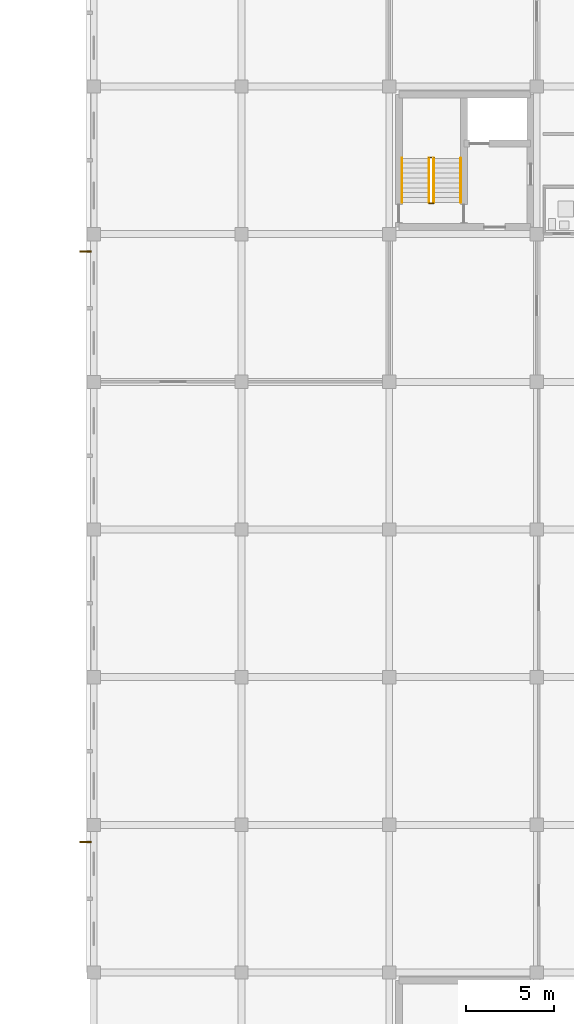
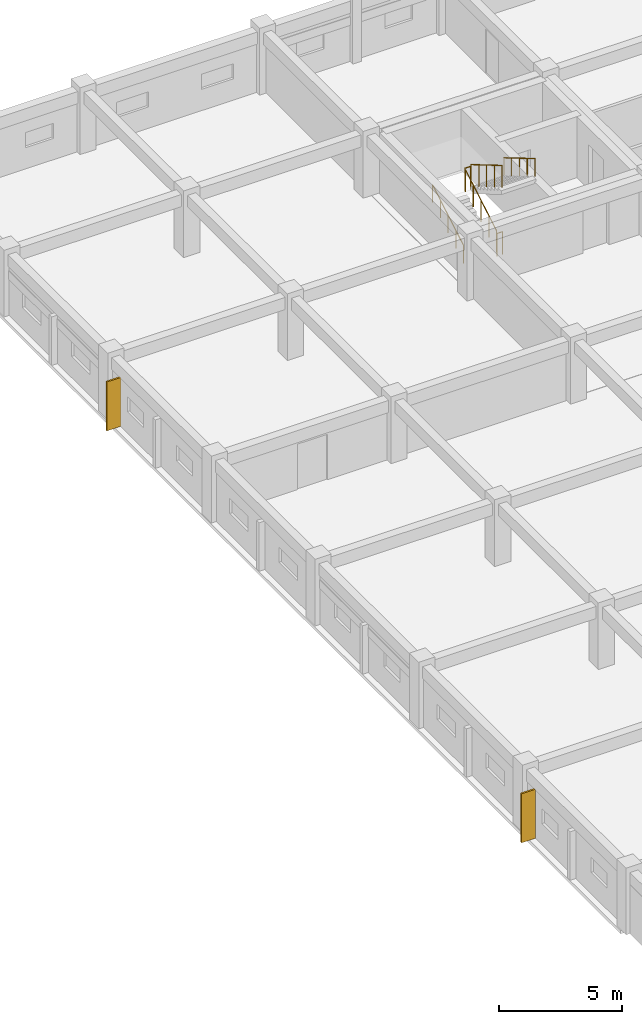
# One storey, part 195 of 200: 6 railings, 2 shading devices.
"""IFC4 building model written with IfcOpenShell, lengths in metres."""

from ifc_helpers import new_model, si_unit, direction, frame, origin, origin_2d, place, context, subcontext, project, spatial, rectangle, circle, extrude, material, type_object, element, save


model = new_model("IFC4")

# Units and contexts
model_context = context("Model", 3, precision=1e-05, world=origin(), true_north=direction((0.0, 1.0)))
body_context = subcontext(model_context, "Body", "Model", "MODEL_VIEW")
ifc_project = project(units=[si_unit("LENGTHUNIT", "METRE"), si_unit("AREAUNIT", "SQUARE_METRE"), si_unit("VOLUMEUNIT", "CUBIC_METRE"), si_unit("PLANEANGLEUNIT", "RADIAN"), si_unit("MASSUNIT", "GRAM", prefix="KILO")], contexts=[model_context])

# Site, building, storey
site_placement = place(None, origin())
site = spatial("IfcSite", under=ifc_project, at=site_placement, CompositionType="ELEMENT")
building_placement = place(site_placement, origin())
building = spatial("IfcBuilding", under=site, at=building_placement, Name="Trelvath General Hospital", CompositionType="ELEMENT")
storey_placement = place(building_placement, frame((0.0, 0.0, 4.800048828125)))
storey = spatial("IfcBuildingStorey", under=building, at=storey_placement, Name="L01", CompositionType="ELEMENT", Elevation=4.800048828125)

# Railings
ifc_material_1 = material(Name="Architectural painted steel", Category="steel")
railing_type_1 = type_object("IfcRailingType", Name="Guardrail Terrace1150", PredefinedType="GUARDRAIL", material=ifc_material_1)
railing_1_placement = place(storey_placement, frame((19.070068359375, 102.56005859375, 0.0)))
element("IfcRailing", 1, at=railing_1_placement, inside=storey, type_object=railing_type_1, Name="Stair Well Edge Guard C3 L01 102", PredefinedType="GUARDRAIL", context=body_context, shape_type="SweptSolid", body=[
    extrude(circle(Radius=0.02392578125, at=origin_2d()), frame((0.0, 0.0, 1.1259765625), z_axis=(1.0, 0.0, 0.0), x_axis=(0.0, 1.0, 0.0)), (0.0, 0.0, 1.0), 0.260009765625),
    extrude(circle(Radius=0.02099609375, at=origin_2d()), origin(), (0.0, 0.0, 1.0), 1.099853515625),
    extrude(circle(Radius=0.02099609375, at=origin_2d()), frame((0.260009765625, 0.0, 0.0)), (0.0, 0.0, 1.0), 1.099853515625),
])
railing_2_placement = place(storey_placement, frame((19.330078125, 105.1201171875, 1.81494140625)))
element("IfcRailing", 2, at=railing_2_placement, inside=storey, type_object=railing_type_1, Name="Stair Rail ST3 L01 F2 L 104", PredefinedType="GUARDRAIL", context=body_context, shape_type="SweptSolid", body=[
    extrude(circle(Radius=0.02392578125, at=origin_2d()), frame((0.0, 0.0, 1.076171875), z_axis=(0.0, -0.86152411907, 0.507716645641), x_axis=(1.0, 0.0, 0.0)), (0.0, 0.0, 1.0), 2.925048828125),
    extrude(circle(Radius=0.02099609375, at=origin_2d()), origin(), (0.0, 0.0, 1.0), 1.050048828125),
    extrude(circle(Radius=0.02099609375, at=origin_2d()), frame((0.0, -0.6298828125, 0.371337890625)), (0.0, 0.0, 1.0), 1.050048828125),
    extrude(circle(Radius=0.02099609375, at=origin_2d()), frame((0.0, -1.260009765625, 0.74267578125)), (0.0, 0.0, 1.0), 1.050048828125),
    extrude(circle(Radius=0.02099609375, at=origin_2d()), frame((0.0, -1.89013671875, 1.11376953125)), (0.0, 0.0, 1.0), 1.050048828125),
    extrude(circle(Radius=0.02099609375, at=origin_2d()), frame((0.0, -2.52001953125, 1.485107421875)), (0.0, 0.0, 1.0), 1.050048828125),
])
railing_3_placement = place(storey_placement, frame((19.070068359375, 102.60009765625, 0.1650390625)))
element("IfcRailing", 3, at=railing_3_placement, inside=storey, type_object=railing_type_1, Name="Stair Rail ST3 L01 F1 R 105", PredefinedType="GUARDRAIL", context=body_context, shape_type="SweptSolid", body=[
    extrude(circle(Radius=0.02392578125, at=origin_2d()), frame((0.0, 0.0, 1.076171875), z_axis=(0.0, 0.861560626758, 0.507654692109), x_axis=(-1.0, 0.0, 0.0)), (0.0, 0.0, 1.0), 2.925048828125),
    extrude(circle(Radius=0.02099609375, at=origin_2d()), origin(), (0.0, 0.0, 1.0), 1.050048828125),
    extrude(circle(Radius=0.02099609375, at=origin_2d()), frame((0.0, 0.6298828125, 0.37109375)), (0.0, 0.0, 1.0), 1.050048828125),
    extrude(circle(Radius=0.02099609375, at=origin_2d()), frame((0.0, 1.260009765625, 0.742431640625)), (0.0, 0.0, 1.0), 1.050048828125),
    extrude(circle(Radius=0.02099609375, at=origin_2d()), frame((0.0, 1.89013671875, 1.11376953125)), (0.0, 0.0, 1.0), 1.050048828125),
    extrude(circle(Radius=0.02099609375, at=origin_2d()), frame((0.0, 2.52001953125, 1.48486328125)), (0.0, 0.0, 1.0), 1.050048828125),
])
railing_4_placement = place(storey_placement, frame((19.070068359375, 105.159912109375, 1.64990234375)))
element("IfcRailing", 4, at=railing_4_placement, inside=storey, type_object=railing_type_1, Name="Half-Landing Well Guard ST3 L01 107", PredefinedType="GUARDRAIL", context=body_context, shape_type="SweptSolid", body=[
    extrude(circle(Radius=0.02392578125, at=origin_2d()), frame((0.0, 0.0, 1.1259765625), z_axis=(1.0, 0.0, 0.0), x_axis=(0.0, 1.0, 0.0)), (0.0, 0.0, 1.0), 0.260009765625),
    extrude(circle(Radius=0.02099609375, at=origin_2d()), origin(), (0.0, 0.0, 1.0), 1.099853515625),
    extrude(circle(Radius=0.02099609375, at=origin_2d()), frame((0.260009765625, 0.0, 0.0)), (0.0, 0.0, 1.0), 1.099853515625),
])
ifc_material_2 = material(Name="Brushed stainless steel", Category="steel")
railing_type_2 = type_object("IfcRailingType", Name="Handrail Stair900", PredefinedType="HANDRAIL", material=ifc_material_2)
railing_5_placement = place(storey_placement, frame((17.530029296875, 102.60009765625, 0.1650390625)))
element("IfcRailing", 5, at=railing_5_placement, inside=storey, type_object=railing_type_2, Name="Stair Rail ST3 L01 F1 L 103", PredefinedType="HANDRAIL", context=body_context, shape_type="SweptSolid", body=[
    extrude(circle(Radius=0.02392578125, at=origin_2d()), frame((0.0, 0.0, 0.8759765625), z_axis=(0.0, 0.861560626758, 0.507654692109), x_axis=(-1.0, 0.0, 0.0)), (0.0, 0.0, 1.0), 2.925048828125),
    extrude(circle(Radius=0.02099609375, at=origin_2d()), origin(), (0.0, 0.0, 1.0), 0.849853515625),
    extrude(circle(Radius=0.02099609375, at=origin_2d()), frame((0.0, 0.6298828125, 0.37109375)), (0.0, 0.0, 1.0), 0.849853515625),
    extrude(circle(Radius=0.02099609375, at=origin_2d()), frame((0.0, 1.260009765625, 0.742431640625)), (0.0, 0.0, 1.0), 0.849853515625),
    extrude(circle(Radius=0.02099609375, at=origin_2d()), frame((0.0, 1.89013671875, 1.11376953125)), (0.0, 0.0, 1.0), 0.849853515625),
    extrude(circle(Radius=0.02099609375, at=origin_2d()), frame((0.0, 2.52001953125, 1.48486328125)), (0.0, 0.0, 1.0), 0.849853515625),
])
railing_6_placement = place(storey_placement, frame((20.8701171875, 105.1201171875, 1.81494140625)))
element("IfcRailing", 6, at=railing_6_placement, inside=storey, type_object=railing_type_2, Name="Stair Rail ST3 L01 F2 R 106", PredefinedType="HANDRAIL", context=body_context, shape_type="SweptSolid", body=[
    extrude(circle(Radius=0.02392578125, at=origin_2d()), frame((0.0, 0.0, 0.8759765625), z_axis=(0.0, -0.86152411907, 0.507716645641), x_axis=(1.0, 0.0, 0.0)), (0.0, 0.0, 1.0), 2.925048828125),
    extrude(circle(Radius=0.02099609375, at=origin_2d()), origin(), (0.0, 0.0, 1.0), 0.849853515625),
    extrude(circle(Radius=0.02099609375, at=origin_2d()), frame((0.0, -0.6298828125, 0.371337890625)), (0.0, 0.0, 1.0), 0.849853515625),
    extrude(circle(Radius=0.02099609375, at=origin_2d()), frame((0.0, -1.260009765625, 0.74267578125)), (0.0, 0.0, 1.0), 0.849853515625),
    extrude(circle(Radius=0.02099609375, at=origin_2d()), frame((0.0, -1.89013671875, 1.11376953125)), (0.0, 0.0, 1.0), 0.849853515625),
    extrude(circle(Radius=0.02099609375, at=origin_2d()), frame((0.0, -2.52001953125, 1.485107421875)), (0.0, 0.0, 1.0), 0.849853515625),
])

# Shading devices
ifc_material_3 = material(Name="Anodised aluminium", Category="aluminium")
shading_device_type = type_object("IfcShadingDeviceType", Name="SolarScreen PerforatedAlu", PredefinedType="JALOUSIE", material=ifc_material_3)
for number, where, z_axis, x_axis, name in (
    (7, (-0.465087890625, 66.21728515625, 0.0), (0.0, 0.0, 1.0), (-1.0, 0.0, 0.0), "Solar Brise-Soleil Screen L01-17"),
    (8, (-0.465087890625, 99.817138671875, 0.0), (0.0, 0.0, 1.0), (-1.0, 0.0, 0.0), "Solar Brise-Soleil Screen L01-18"),
):
    element("IfcShadingDevice", number, at=place(storey_placement, frame(where, z_axis=z_axis, x_axis=x_axis)), inside=storey, type_object=shading_device_type, Name=name, PredefinedType="JALOUSIE", context=body_context, shape_type="SweptSolid", body=[
        extrude(rectangle(XDim=0.64990234375, YDim=0.080078125, at=origin_2d()), origin(), (0.0, 0.0, 1.0), 2.419921875),
    ])

save(model, "model.ifc")
